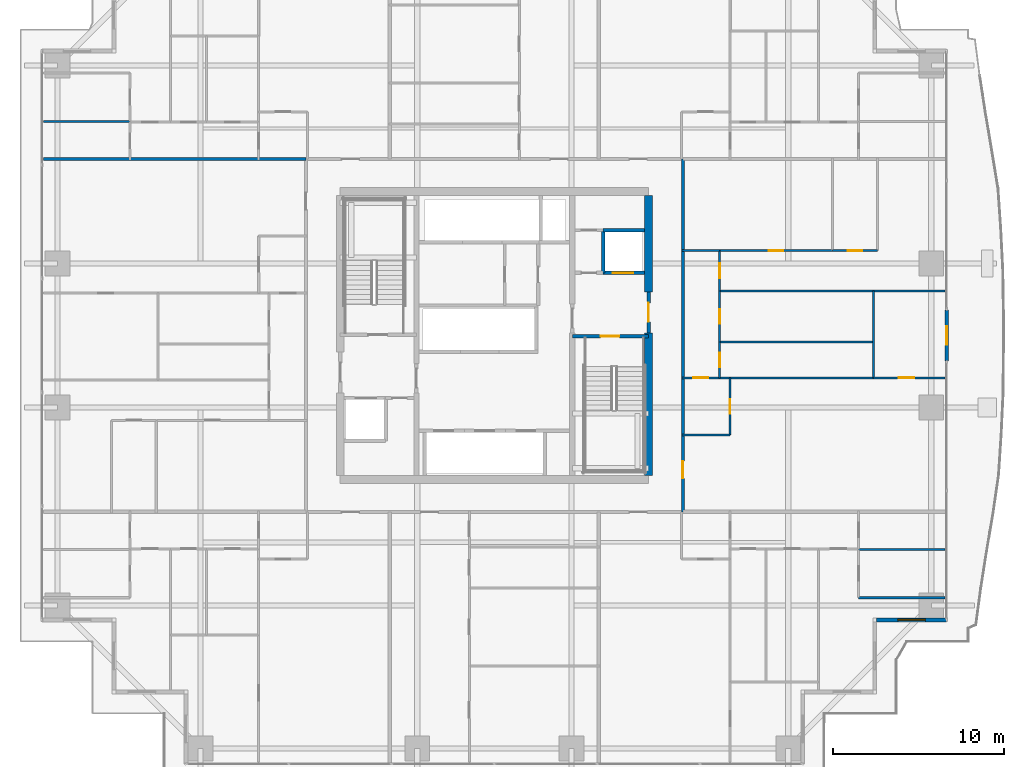
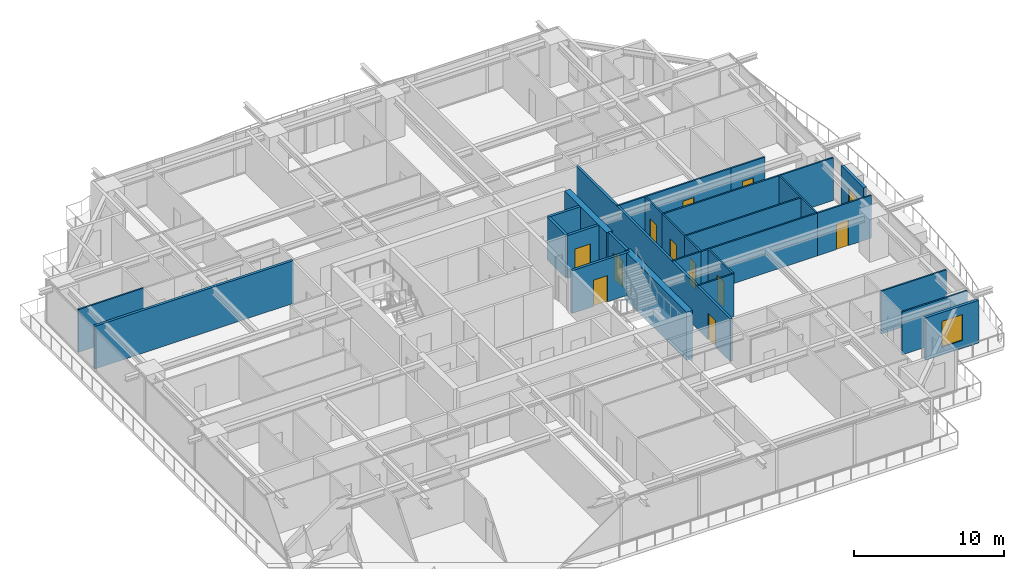
# One storey, part 29 of 37: 28 walls, 13 doors, 1 window, 14 openings.
"""IFC4 building model written with IfcOpenShell, lengths in metres."""

from ifc_helpers import new_model, si_unit, direction, frame, frame_2d, origin, place, context, subcontext, project, spatial, rectangle, extrude, source, transform, mapped, material, layer, layer_set, type_object, element, fill, save


model = new_model("IFC4")

# Units and contexts
model_context = context("Model", 3, precision=1e-05, world=origin(), true_north=direction((0.0, 1.0)))
body_context = subcontext(model_context, "Body", "Model", "MODEL_VIEW")
ifc_project = project(units=[si_unit("LENGTHUNIT", "METRE"), si_unit("AREAUNIT", "SQUARE_METRE"), si_unit("VOLUMEUNIT", "CUBIC_METRE"), si_unit("PLANEANGLEUNIT", "RADIAN"), si_unit("MASSUNIT", "GRAM", prefix="KILO")], contexts=[model_context])

# Site, building, storey
site_placement = place(None, origin())
site = spatial("IfcSite", under=ifc_project, at=site_placement, CompositionType="ELEMENT")
building_placement = place(site_placement, origin())
building = spatial("IfcBuilding", under=site, at=building_placement, Name="Serunith Strait Residences", CompositionType="ELEMENT")
storey_placement = place(building_placement, frame((0.0, 0.0, 26.699951171875)))
storey = spatial("IfcBuildingStorey", under=building, at=storey_placement, Name="L05", CompositionType="ELEMENT", Elevation=26.699951171875)

# Wall, opening, window
ifc_material_1 = material(Name="Pale-Champagne Aluminium Insulated Panel", Category="aluminium")
ifc_layer_1 = layer(ifc_material_1, 0.219970703125, Name="Pale-Champagne Aluminium Insulated Panel")
ifc_layer_set_1 = layer_set([ifc_layer_1], Name="Pale-Champagne Aluminium Insulated Panel")
wall_type_1 = type_object("IfcWallType", Name="EW-ALUM-220", PredefinedType="ELEMENTEDWALL", material=ifc_layer_set_1)
wall_1_placement = place(storey_placement, frame((54.7099609375, 8.60009765625, 0.0), z_axis=(0.0, 0.0, 1.0), x_axis=(1.0, 0.0, 0.0)))
wall_1 = element("IfcWall", 1, at=wall_1_placement, inside=storey, type_object=wall_type_1, Name="L05 Girih Serrated Corner Wall 05", PredefinedType="ELEMENTEDWALL", context=body_context, shape_type="SweptSolid", body=[
    extrude(rectangle(XDim=4.090087890625, YDim=0.219970703125, at=frame_2d((2.044921875, 0.0))), origin(), (0.0, 0.0, 1.0), 3.47509765625),
])
opening_1_placement = place(wall_1_placement, frame((1.2451171875, 0.0, 0.64990234375)))
opening_1 = element("IfcOpeningElement", 2, at=opening_1_placement, cuts=wall_1, Name="Opening W-02", PredefinedType="OPENING", context=body_context, shape_type="SweptSolid", body=[
    extrude(rectangle(XDim=1.60009765625, YDim=2.10009765625, at=frame_2d((0.800048828125, 1.050048828125))), frame((0.0, 0.1201171875, 0.0), z_axis=(0.0, -1.0, 0.0), x_axis=(1.0, 0.0, 0.0)), (0.0, 0.0, 1.0), 0.239990234375),
])
ifc_material_2 = material(Name="Ceramic-Fritted Operable Aluminium Window Glass", Category="aluminium")
window_type = type_object("IfcWindowType", Name="WIN-C2", PartitioningType="DOUBLE_PANEL_VERTICAL", PredefinedType="WINDOW", material=ifc_material_2)
shared_shape_1 = source(origin(), body_context, "Body", "SweptSolid", [
    extrude(rectangle(XDim=1.60009765625, YDim=2.10009765625, at=frame_2d((0.800048828125, 1.050048828125))), frame((0.0, 0.030029296875, 0.0), z_axis=(0.0, -1.0, 0.0), x_axis=(1.0, 0.0, 0.0)), (0.0, 0.0, 1.0), 0.06005859375),
])
window_placement = place(opening_1_placement, origin())
window = element("IfcWindow", 3, at=window_placement, inside=storey, type_object=window_type, Name="L05 Corner Operable Fritted Window 05", OverallHeight=2.10009765625, OverallWidth=1.60009765625, PartitioningType="SINGLE_PANEL", PredefinedType="WINDOW", context=body_context, shape_type="MappedRepresentation", body=[
    mapped(shared_shape_1, transform((0.0, 0.0, 0.0), scale=1.0)),
])
fill(opening_1, window)

# Wall, opening, door
wall_2_placement = place(storey_placement, frame((58.800048828125, 23.699951171875, 0.0), z_axis=(0.0, 0.0, 1.0), x_axis=(0.0, 1.0, 0.0)))
wall_2 = element("IfcWall", 4, at=wall_2_placement, inside=storey, type_object=wall_type_1, Name="L05 E Facade Pier Wall", PredefinedType="ELEMENTEDWALL", context=body_context, shape_type="SweptSolid", body=[
    extrude(rectangle(XDim=3.0, YDim=0.219970703125, at=frame_2d((1.5, 0.0))), origin(), (0.0, 0.0, 1.0), 3.47509765625),
])
opening_2_placement = place(wall_2_placement, frame((0.949951171875, 0.0, 0.0)))
opening_2 = element("IfcOpeningElement", 5, at=opening_2_placement, cuts=wall_2, Name="Opening ED-03", PredefinedType="OPENING", context=body_context, shape_type="SweptSolid", body=[
    extrude(rectangle(XDim=1.10009765625, YDim=2.199951171875, at=frame_2d((0.550048828125, 1.10009765625))), frame((0.0, 0.1201171875, 0.0), z_axis=(0.0, -1.0, 0.0), x_axis=(1.0, 0.0, 0.0)), (0.0, 0.0, 1.0), 0.239990234375),
])
ifc_material_3 = material(Name="Thermally-Broken Aluminium Glazed Balcony Door", Category="aluminium")
door_type_1 = type_object("IfcDoorType", Name="ED-BALC-1100", OperationType="NOTDEFINED", PredefinedType="DOOR", material=ifc_material_3)
shared_shape_2 = source(origin(), body_context, "Body", "SweptSolid", [
    extrude(rectangle(XDim=1.10009765625, YDim=2.199951171875, at=frame_2d((0.550048828125, 1.10009765625))), frame((0.0, 0.02490234375, 0.0), z_axis=(0.0, -1.0, 0.0), x_axis=(1.0, 0.0, 0.0)), (0.0, 0.0, 1.0), 0.050048828125),
])
door_1_placement = place(opening_2_placement, origin())
door_1 = element("IfcDoor", 6, at=door_1_placement, inside=storey, type_object=door_type_1, Name="L05 E Vertical-Forest Balcony Door", OperationType="SINGLE_SWING_RIGHT", OverallHeight=2.199951171875, OverallWidth=1.10009765625, PredefinedType="DOOR", context=body_context, shape_type="MappedRepresentation", body=[
    mapped(shared_shape_2, transform((0.0, 0.0, 0.0), scale=1.0)),
])
fill(opening_2, door_1)

ifc_material_4 = material(Name="Fire-rated acoustic gypsum partition")
ifc_layer_2 = layer(ifc_material_4, 0.179931640625, Name="Fire-rated acoustic gypsum partition")
ifc_layer_set_2 = layer_set([ifc_layer_2], Name="Fire-rated acoustic gypsum partition")
wall_type_2 = type_object("IfcWallType", Name="IW-CORR-180", PredefinedType="PARTITIONING", material=ifc_layer_set_2)
wall_3_placement = place(storey_placement, frame((43.39990234375, 14.89990234375, 0.0), z_axis=(0.0, 0.0, 1.0), x_axis=(0.0, 1.0, 0.0)))
wall_3 = element("IfcWall", 7, at=wall_3_placement, inside=storey, type_object=wall_type_2, Name="L05 Partition Wall 026", PredefinedType="PARTITIONING", context=body_context, shape_type="SweptSolid", body=[
    extrude(rectangle(XDim=20.60009765625, YDim=0.179931640625, at=frame_2d((10.300048828125, 0.0))), origin(), (0.0, 0.0, 1.0), 3.489990234375),
])
opening_3_placement = place(wall_3_placement, frame((1.9599609375, 0.0, 0.0)))
opening_3 = element("IfcOpeningElement", 8, at=opening_3_placement, cuts=wall_3, Name="Opening D-APT1000", PredefinedType="OPENING", context=body_context, shape_type="SweptSolid", body=[
    extrude(rectangle(XDim=1.0, YDim=2.14990234375, at=frame_2d((0.5, 1.074951171875))), frame((0.0, 0.10009765625, 0.0), z_axis=(0.0, -1.0, 0.0), x_axis=(1.0, 0.0, 0.0)), (0.0, 0.0, 1.0), 0.199951171875),
])
ifc_material_5 = material(Name="Solid timber engineered fire door", Category="wood")
door_type_2 = type_object("IfcDoorType", Name="ID-APT-1000", OperationType="NOTDEFINED", PredefinedType="DOOR", material=ifc_material_5)
shared_shape_3 = source(origin(), body_context, "Body", "SweptSolid", [
    extrude(rectangle(XDim=1.0, YDim=2.14990234375, at=frame_2d((0.5, 1.074951171875))), frame((0.0, 0.02490234375, 0.0), z_axis=(0.0, -1.0, 0.0), x_axis=(1.0, 0.0, 0.0)), (0.0, 0.0, 1.0), 0.050048828125),
])
door_2_placement = place(opening_3_placement, origin())
door_2 = element("IfcDoor", 9, at=door_2_placement, inside=storey, type_object=door_type_2, Name="L05 Unit 08 Entrance Door", OperationType="SINGLE_SWING_RIGHT", OverallHeight=2.14990234375, OverallWidth=1.0, PredefinedType="DOOR", context=body_context, shape_type="MappedRepresentation", body=[
    mapped(shared_shape_3, transform((0.0, 0.0, 0.0), scale=1.0)),
])
fill(opening_3, door_2)

# Walls
ifc_material_6 = material(Name="Lightweight steel-stud gypsum partition", Category="steel")
ifc_layer_3 = layer(ifc_material_6, 0.1201171875, Name="Lightweight steel-stud gypsum partition")
ifc_layer_set_3 = layer_set([ifc_layer_3], Name="Lightweight steel-stud gypsum partition")
wall_type_3 = type_object("IfcWallType", Name="IW-PART-120", PredefinedType="PARTITIONING", material=ifc_layer_set_3)
wall_4_placement = place(storey_placement, frame((53.659912109375, 9.89404296875, 0.0), z_axis=(0.0, 0.0, 1.0), x_axis=(1.0, 0.0, 0.0)))
element("IfcWall", 10, at=wall_4_placement, inside=storey, type_object=wall_type_3, Name="L05 Partition Wall 060", PredefinedType="PARTITIONING", context=body_context, shape_type="SweptSolid", body=[
    extrude(rectangle(XDim=5.045166015625, YDim=0.1201171875, at=frame_2d((2.5224609375, 0.0))), origin(), (0.0, 0.0, 1.0), 3.489990234375),
])
for number, where, z_axis, x_axis, name in (
    (11, (53.662109375, 12.701904296875, 0.0), (0.0, 0.0, 1.0), (1.0, 0.0, 0.0), "L05 Partition Wall 061"),
    (12, (6.094970703125, 37.697998046875, 0.0), (0.0, 0.0, 1.0), (1.0, 0.0, 0.0), "L05 Partition Wall 076"),
):
    element("IfcWall", number, at=place(storey_placement, frame(where, z_axis=z_axis, x_axis=x_axis)), inside=storey, type_object=wall_type_3, Name=name, PredefinedType="PARTITIONING", context=body_context, shape_type="SweptSolid", body=[
        extrude(rectangle(XDim=5.04296875, YDim=0.1201171875, at=frame_2d((2.521484375, 0.0))), origin(), (0.0, 0.0, 1.0), 3.489990234375),
    ])

# Wall, opening, door
wall_5_placement = place(storey_placement, frame((46.14990234375, 19.39990234375, 0.0), z_axis=(0.0, 0.0, 1.0), x_axis=(0.0, 1.0, 0.0)))
wall_5 = element("IfcWall", 13, at=wall_5_placement, inside=storey, type_object=wall_type_3, Name="L05 Partition Wall 117", PredefinedType="PARTITIONING", context=body_context, shape_type="SweptSolid", body=[
    extrude(rectangle(XDim=3.330078125, YDim=0.1201171875, at=frame_2d((1.6650390625, 0.0))), origin(), (0.0, 0.0, 1.0), 3.489990234375),
])
opening_4_placement = place(wall_5_placement, frame((1.239990234375, 0.0, 0.0)))
opening_4 = element("IfcOpeningElement", 14, at=opening_4_placement, cuts=wall_5, Name="Opening D-RM850", PredefinedType="OPENING", context=body_context, shape_type="SweptSolid", body=[
    extrude(rectangle(XDim=0.85009765625, YDim=2.10009765625, at=frame_2d((0.425048828125, 1.050048828125))), frame((0.0, 0.070068359375, 0.0), z_axis=(0.0, -1.0, 0.0), x_axis=(1.0, 0.0, 0.0)), (0.0, 0.0, 1.0), 0.14013671875),
])
ifc_material_7 = material(Name="Engineered timber flush study and kitchen door", Category="wood")
door_type_3 = type_object("IfcDoorType", Name="ID-ROOM-850", OperationType="NOTDEFINED", PredefinedType="DOOR", material=ifc_material_7)
shared_shape_4 = source(origin(), body_context, "Body", "SweptSolid", [
    extrude(rectangle(XDim=0.85009765625, YDim=2.10009765625, at=frame_2d((0.425048828125, 1.050048828125))), frame((0.0, 0.02490234375, 0.0), z_axis=(0.0, -1.0, 0.0), x_axis=(1.0, 0.0, 0.0)), (0.0, 0.0, 1.0), 0.050048828125),
])
door_3_placement = place(opening_4_placement, origin())
door_3 = element("IfcDoor", 15, at=door_3_placement, inside=storey, type_object=door_type_3, Name="L05 Kitchen 0508 Door", OperationType="SINGLE_SWING_LEFT", OverallHeight=2.10009765625, OverallWidth=0.85009765625, PredefinedType="DOOR", context=body_context, shape_type="MappedRepresentation", body=[
    mapped(shared_shape_4, transform((0.0, 0.0, 0.0), scale=1.0)),
])
fill(opening_4, door_3)

# Wall
wall_6_placement = place(storey_placement, frame((46.14990234375, 19.39990234375, 0.0), z_axis=(0.0, 0.0, 1.0), x_axis=(-1.0, 0.0, 0.0)))
element("IfcWall", 16, at=wall_6_placement, inside=storey, type_object=wall_type_3, Name="L05 Partition Wall 118", PredefinedType="PARTITIONING", context=body_context, shape_type="SweptSolid", body=[
    extrude(rectangle(XDim=2.809814453125, YDim=0.1201171875, at=frame_2d((1.40478515625, 0.0))), origin(), (0.0, 0.0, 1.0), 3.489990234375),
])

# Wall, opening, door
wall_7_placement = place(storey_placement, frame((45.550048828125, 22.72998046875, 0.0), z_axis=(0.0, 0.0, 1.0), x_axis=(-1.0, 0.0, 0.0)))
wall_7 = element("IfcWall", 17, at=wall_7_placement, inside=storey, type_object=wall_type_3, Name="L05 Partition Wall 119", PredefinedType="PARTITIONING", context=body_context, shape_type="SweptSolid", body=[
    extrude(rectangle(XDim=2.2099609375, YDim=0.1201171875, at=frame_2d((1.10498046875, 0.0))), origin(), (0.0, 0.0, 1.0), 3.489990234375),
])
opening_5_placement = place(wall_7_placement, frame((0.655029296875, 0.0, 0.0)))
opening_5 = element("IfcOpeningElement", 18, at=opening_5_placement, cuts=wall_7, Name="Opening D-RM900", PredefinedType="OPENING", context=body_context, shape_type="SweptSolid", body=[
    extrude(rectangle(XDim=0.89990234375, YDim=2.10009765625, at=frame_2d((0.449951171875, 1.050048828125))), frame((0.0, 0.070068359375, 0.0), z_axis=(0.0, -1.0, 0.0), x_axis=(1.0, 0.0, 0.0)), (0.0, 0.0, 1.0), 0.14013671875),
])
ifc_material_8 = material(Name="Engineered timber flush bedroom door", Category="wood")
door_type_4 = type_object("IfcDoorType", Name="ID-ROOM-900", OperationType="NOTDEFINED", PredefinedType="DOOR", material=ifc_material_8)
shared_shape_5 = source(origin(), body_context, "Body", "SweptSolid", [
    extrude(rectangle(XDim=0.89990234375, YDim=2.10009765625, at=frame_2d((0.449951171875, 1.050048828125))), frame((0.0, 0.02490234375, 0.0), z_axis=(0.0, -1.0, 0.0), x_axis=(1.0, 0.0, 0.0)), (0.0, 0.0, 1.0), 0.050048828125),
])
door_4_placement = place(opening_5_placement, origin())
door_4 = element("IfcDoor", 19, at=door_4_placement, inside=storey, type_object=door_type_4, Name="L05 Hall E 0508 Door", OperationType="SINGLE_SWING_RIGHT", OverallHeight=2.10009765625, OverallWidth=0.89990234375, PredefinedType="DOOR", context=body_context, shape_type="MappedRepresentation", body=[
    mapped(shared_shape_5, transform((0.0, 0.0, 0.0), scale=1.0)),
])
fill(opening_5, door_4)

wall_8_placement = place(storey_placement, frame((58.705078125, 22.72998046875, 0.0), z_axis=(0.0, 0.0, 1.0), x_axis=(-1.0, 0.0, 0.0)))
wall_8 = element("IfcWall", 20, at=wall_8_placement, inside=storey, type_object=wall_type_3, Name="L05 Partition Wall 120", PredefinedType="PARTITIONING", context=body_context, shape_type="SweptSolid", body=[
    extrude(rectangle(XDim=4.1650390625, YDim=0.1201171875, at=frame_2d((2.08251953125, 0.0))), origin(), (0.0, 0.0, 1.0), 3.489990234375),
])
opening_6_placement = place(wall_8_placement, frame((1.7958984375, 0.0, 0.0)))
opening_6 = element("IfcOpeningElement", 21, at=opening_6_placement, cuts=wall_8, Name="Opening D-RM900", PredefinedType="OPENING", context=body_context, shape_type="SweptSolid", body=[
    extrude(rectangle(XDim=0.89990234375, YDim=2.10009765625, at=frame_2d((0.449951171875, 1.050048828125))), frame((0.0, 0.070068359375, 0.0), z_axis=(0.0, -1.0, 0.0), x_axis=(1.0, 0.0, 0.0)), (0.0, 0.0, 1.0), 0.14013671875),
])
door_5_placement = place(opening_6_placement, origin())
door_5 = element("IfcDoor", 22, at=door_5_placement, inside=storey, type_object=door_type_4, Name="L05 Study 1 0508 Door", OperationType="SINGLE_SWING_LEFT", OverallHeight=2.10009765625, OverallWidth=0.89990234375, PredefinedType="DOOR", context=body_context, shape_type="MappedRepresentation", body=[
    mapped(shared_shape_5, transform((0.0, 0.0, 0.0), scale=1.0)),
])
fill(opening_6, door_5)

# Walls
wall_9_placement = place(storey_placement, frame((54.5380859375, 22.72998046875, 0.0), z_axis=(0.0, 0.0, 1.0), x_axis=(-1.0, 0.0, 0.0)))
element("IfcWall", 23, at=wall_9_placement, inside=storey, type_object=wall_type_3, Name="L05 Partition Wall 121", PredefinedType="PARTITIONING", context=body_context, shape_type="SweptSolid", body=[
    extrude(rectangle(XDim=8.986083984375, YDim=0.1201171875, at=frame_2d((4.4931640625, 0.0))), origin(), (0.0, 0.0, 1.0), 3.489990234375),
])
wall_10_placement = place(storey_placement, frame((54.5400390625, 22.72998046875, 0.0), z_axis=(0.0, 0.0, 1.0), x_axis=(0.0, 1.0, 0.0)))
element("IfcWall", 24, at=wall_10_placement, inside=storey, type_object=wall_type_3, Name="L05 Partition Wall 122", PredefinedType="PARTITIONING", context=body_context, shape_type="SweptSolid", body=[
    extrude(rectangle(XDim=5.070068359375, YDim=0.1201171875, at=frame_2d((2.53515625, 0.0))), origin(), (0.0, 0.0, 1.0), 3.489990234375),
])
wall_11_placement = place(storey_placement, frame((58.705078125, 27.800048828125, 0.0), z_axis=(0.0, 0.0, 1.0), x_axis=(-1.0, 0.0, 0.0)))
element("IfcWall", 25, at=wall_11_placement, inside=storey, type_object=wall_type_3, Name="L05 Partition Wall 123", PredefinedType="PARTITIONING", context=body_context, shape_type="SweptSolid", body=[
    extrude(rectangle(XDim=13.155029296875, YDim=0.1201171875, at=frame_2d((6.57763671875, 0.0))), origin(), (0.0, 0.0, 1.0), 3.489990234375),
])
wall_12_placement = place(storey_placement, frame((54.5400390625, 24.830078125, 0.0), z_axis=(0.0, 0.0, 1.0), x_axis=(-1.0, 0.0, 0.0)))
element("IfcWall", 26, at=wall_12_placement, inside=storey, type_object=wall_type_3, Name="L05 Partition Wall 124", PredefinedType="PARTITIONING", context=body_context, shape_type="SweptSolid", body=[
    extrude(rectangle(XDim=8.989990234375, YDim=0.1201171875, at=frame_2d((4.4951171875, 0.0))), origin(), (0.0, 0.0, 1.0), 3.489990234375),
])

# Wall, opening, door
wall_13_placement = place(storey_placement, frame((45.550048828125, 22.72998046875, 0.0), z_axis=(0.0, 0.0, 1.0), x_axis=(0.0, 1.0, 0.0)))
wall_13 = element("IfcWall", 27, at=wall_13_placement, inside=storey, type_object=wall_type_3, Name="L05 Partition Wall 125", PredefinedType="PARTITIONING", context=body_context, shape_type="SweptSolid", body=[
    extrude(rectangle(XDim=2.10009765625, YDim=0.1201171875, at=frame_2d((1.050048828125, 0.0))), origin(), (0.0, 0.0, 1.0), 3.489990234375),
])
opening_7_placement = place(wall_13_placement, frame((0.625, 0.0, 0.0)))
opening_7 = element("IfcOpeningElement", 28, at=opening_7_placement, cuts=wall_13, Name="Opening D-BTH850", PredefinedType="OPENING", context=body_context, shape_type="SweptSolid", body=[
    extrude(rectangle(XDim=0.85009765625, YDim=2.10009765625, at=frame_2d((0.425048828125, 1.050048828125))), frame((0.0, 0.070068359375, 0.0), z_axis=(0.0, -1.0, 0.0), x_axis=(1.0, 0.0, 0.0)), (0.0, 0.0, 1.0), 0.14013671875),
])
ifc_material_9 = material(Name="Moisture-resistant timber bathroom door", Category="wood")
door_type_5 = type_object("IfcDoorType", Name="ID-BATH-850", OperationType="NOTDEFINED", PredefinedType="DOOR", material=ifc_material_9)
door_6_placement = place(opening_7_placement, origin())
door_6 = element("IfcDoor", 29, at=door_6_placement, inside=storey, type_object=door_type_5, Name="L05 Bathroom 0508 Door", OperationType="SINGLE_SWING_RIGHT", OverallHeight=2.10009765625, OverallWidth=0.85009765625, PredefinedType="DOOR", context=body_context, shape_type="MappedRepresentation", body=[
    mapped(shared_shape_4, transform((0.0, 0.0, 0.0), scale=1.0)),
])
fill(opening_7, door_6)

wall_14_placement = place(storey_placement, frame((45.550048828125, 24.83203125, 0.0), z_axis=(0.0, 0.0, 1.0), x_axis=(0.0, 1.0, 0.0)))
wall_14 = element("IfcWall", 30, at=wall_14_placement, inside=storey, type_object=wall_type_3, Name="L05 Partition Wall 126", PredefinedType="PARTITIONING", context=body_context, shape_type="SweptSolid", body=[
    extrude(rectangle(XDim=2.968017578125, YDim=0.1201171875, at=frame_2d((1.48388671875, 0.0))), origin(), (0.0, 0.0, 1.0), 3.489990234375),
])
opening_8_placement = place(wall_14_placement, frame((1.05908203125, 0.0, 0.0)))
opening_8 = element("IfcOpeningElement", 31, at=opening_8_placement, cuts=wall_14, Name="Opening D-RM850", PredefinedType="OPENING", context=body_context, shape_type="SweptSolid", body=[
    extrude(rectangle(XDim=0.85009765625, YDim=2.10009765625, at=frame_2d((0.425048828125, 1.050048828125))), frame((0.0, 0.070068359375, 0.0), z_axis=(0.0, -1.0, 0.0), x_axis=(1.0, 0.0, 0.0)), (0.0, 0.0, 1.0), 0.14013671875),
])
door_7_placement = place(opening_8_placement, origin())
door_7 = element("IfcDoor", 32, at=door_7_placement, inside=storey, type_object=door_type_3, Name="L05 Study 0508 Door", OperationType="SINGLE_SWING_LEFT", OverallHeight=2.10009765625, OverallWidth=0.85009765625, PredefinedType="DOOR", context=body_context, shape_type="MappedRepresentation", body=[
    mapped(shared_shape_4, transform((0.0, 0.0, 0.0), scale=1.0)),
])
fill(opening_8, door_7)

wall_15_placement = place(storey_placement, frame((45.550048828125, 27.802001953125, 0.0), z_axis=(0.0, 0.0, 1.0), x_axis=(0.0, 1.0, 0.0)))
wall_15 = element("IfcWall", 33, at=wall_15_placement, inside=storey, type_object=wall_type_3, Name="L05 Partition Wall 127", PredefinedType="PARTITIONING", context=body_context, shape_type="SweptSolid", body=[
    extrude(rectangle(XDim=2.347900390625, YDim=0.1201171875, at=frame_2d((1.173828125, 0.0))), origin(), (0.0, 0.0, 1.0), 3.489990234375),
])
opening_9_placement = place(wall_15_placement, frame((0.72412109375, 0.0, 0.0)))
opening_9 = element("IfcOpeningElement", 34, at=opening_9_placement, cuts=wall_15, Name="Opening D-RM900", PredefinedType="OPENING", context=body_context, shape_type="SweptSolid", body=[
    extrude(rectangle(XDim=0.89990234375, YDim=2.10009765625, at=frame_2d((0.449951171875, 1.050048828125))), frame((0.0, 0.070068359375, 0.0), z_axis=(0.0, -1.0, 0.0), x_axis=(1.0, 0.0, 0.0)), (0.0, 0.0, 1.0), 0.14013671875),
])
door_8_placement = place(opening_9_placement, origin())
door_8 = element("IfcDoor", 35, at=door_8_placement, inside=storey, type_object=door_type_4, Name="L05 Master Bedroom E 0508 Door", OperationType="SINGLE_SWING_RIGHT", OverallHeight=2.10009765625, OverallWidth=0.89990234375, PredefinedType="DOOR", context=body_context, shape_type="MappedRepresentation", body=[
    mapped(shared_shape_5, transform((0.0, 0.0, 0.0), scale=1.0)),
])
fill(opening_9, door_8)

wall_16_placement = place(storey_placement, frame((54.75, 30.14990234375, 0.0), z_axis=(0.0, 0.0, 1.0), x_axis=(-1.0, 0.0, 0.0)))
wall_16 = element("IfcWall", 36, at=wall_16_placement, inside=storey, type_object=wall_type_3, Name="L05 Partition Wall 130", PredefinedType="PARTITIONING", context=body_context, shape_type="SweptSolid", body=[
    extrude(rectangle(XDim=2.616943359375, YDim=0.1201171875, at=frame_2d((1.30859375, 0.0))), origin(), (0.0, 0.0, 1.0), 3.489990234375),
])
opening_10_placement = place(wall_16_placement, frame((0.883056640625, 0.0, 0.0)))
opening_10 = element("IfcOpeningElement", 37, at=opening_10_placement, cuts=wall_16, Name="Opening D-BTH850", PredefinedType="OPENING", context=body_context, shape_type="SweptSolid", body=[
    extrude(rectangle(XDim=0.85009765625, YDim=2.10009765625, at=frame_2d((0.425048828125, 1.050048828125))), frame((0.0, 0.070068359375, 0.0), z_axis=(0.0, -1.0, 0.0), x_axis=(1.0, 0.0, 0.0)), (0.0, 0.0, 1.0), 0.14013671875),
])
door_9_placement = place(opening_10_placement, origin())
door_9 = element("IfcDoor", 38, at=door_9_placement, inside=storey, type_object=door_type_5, Name="L05 En-suite Bathroom E 0508 Door", OperationType="SINGLE_SWING_LEFT", OverallHeight=2.10009765625, OverallWidth=0.85009765625, PredefinedType="DOOR", context=body_context, shape_type="MappedRepresentation", body=[
    mapped(shared_shape_4, transform((0.0, 0.0, 0.0), scale=1.0)),
])
fill(opening_10, door_9)

wall_17_placement = place(storey_placement, frame((52.131103515625, 30.14990234375, 0.0), z_axis=(0.0, 0.0, 1.0), x_axis=(-1.0, 0.0, 0.0)))
wall_17 = element("IfcWall", 39, at=wall_17_placement, inside=storey, type_object=wall_type_3, Name="L05 Partition Wall 131", PredefinedType="PARTITIONING", context=body_context, shape_type="SweptSolid", body=[
    extrude(rectangle(XDim=6.5810546875, YDim=0.1201171875, at=frame_2d((3.29052734375, 0.0))), origin(), (0.0, 0.0, 1.0), 3.489990234375),
])
opening_11_placement = place(wall_17_placement, frame((2.865966796875, 0.0, 0.0)))
opening_11 = element("IfcOpeningElement", 40, at=opening_11_placement, cuts=wall_17, Name="Opening D-RM850", PredefinedType="OPENING", context=body_context, shape_type="SweptSolid", body=[
    extrude(rectangle(XDim=0.85009765625, YDim=2.10009765625, at=frame_2d((0.425048828125, 1.050048828125))), frame((0.0, 0.070068359375, 0.0), z_axis=(0.0, -1.0, 0.0), x_axis=(1.0, 0.0, 0.0)), (0.0, 0.0, 1.0), 0.14013671875),
])
door_10_placement = place(opening_11_placement, origin())
door_10 = element("IfcDoor", 41, at=door_10_placement, inside=storey, type_object=door_type_3, Name="L05 Wardrobe E 0508 Door", OperationType="SINGLE_SWING_RIGHT", OverallHeight=2.10009765625, OverallWidth=0.85009765625, PredefinedType="DOOR", context=body_context, shape_type="MappedRepresentation", body=[
    mapped(shared_shape_4, transform((0.0, 0.0, 0.0), scale=1.0)),
])
fill(opening_11, door_10)

# Walls
wall_18_placement = place(storey_placement, frame((45.548095703125, 30.14990234375, 0.0), z_axis=(0.0, 0.0, 1.0), x_axis=(-1.0, 0.0, 0.0)))
element("IfcWall", 42, at=wall_18_placement, inside=storey, type_object=wall_type_3, Name="L05 Partition Wall 132", PredefinedType="PARTITIONING", context=body_context, shape_type="SweptSolid", body=[
    extrude(rectangle(XDim=2.2080078125, YDim=0.1201171875, at=frame_2d((1.10400390625, 0.0))), origin(), (0.0, 0.0, 1.0), 3.489990234375),
])
ifc_material_10 = material(Name="Twin-stud acoustic gypsum board partition")
ifc_layer_4 = layer(ifc_material_10, 0.199951171875, Name="Twin-stud acoustic gypsum board partition")
ifc_layer_set_4 = layer_set([ifc_layer_4], Name="Twin-stud acoustic gypsum board partition")
wall_type_4 = type_object("IfcWallType", Name="IW-PARTY-200", PredefinedType="PARTITIONING", material=ifc_layer_set_4)
wall_19_placement = place(storey_placement, frame((6.08203125, 35.5, 0.0), z_axis=(0.0, 0.0, 1.0), x_axis=(1.0, 0.0, 0.0)))
element("IfcWall", 43, at=wall_19_placement, inside=storey, type_object=wall_type_4, Name="L05 Partition Wall 021", PredefinedType="PARTITIONING", context=body_context, shape_type="SweptSolid", body=[
    extrude(rectangle(XDim=15.31787109375, YDim=0.199951171875, at=frame_2d((7.658935546875, 0.0))), origin(), (0.0, 0.0, 1.0), 3.489990234375),
])

# Wall, opening, door
ifc_material_11 = material(Name="Autoclaved aerated concrete blockwork", Category="masonry")
ifc_layer_5 = layer(ifc_material_11, 0.199951171875, Name="Autoclaved aerated concrete blockwork")
ifc_layer_set_5 = layer_set([ifc_layer_5], Name="Autoclaved aerated concrete blockwork")
wall_type_5 = type_object("IfcWallType", Name="IW-SHAFT-200", PredefinedType="STANDARD", material=ifc_layer_set_5)
wall_20_placement = place(storey_placement, frame((36.949951171875, 25.14990234375, 0.0), z_axis=(0.0, 0.0, 1.0), x_axis=(1.0, 0.0, 0.0)))
wall_20 = element("IfcWall", 44, at=wall_20_placement, inside=storey, type_object=wall_type_5, Name="L05 ST-2 North Shaft Wall", PredefinedType="STANDARD", context=body_context, shape_type="SweptSolid", body=[
    extrude(rectangle(XDim=4.449951171875, YDim=0.199951171875, at=frame_2d((2.22509765625, 0.0))), origin(), (0.0, 0.0, 1.0), 3.489990234375),
])
opening_12_placement = place(wall_20_placement, frame((1.64990234375, 0.0, 0.0)))
opening_12 = element("IfcOpeningElement", 45, at=opening_12_placement, cuts=wall_20, Name="Opening FD-1100", PredefinedType="OPENING", context=body_context, shape_type="SweptSolid", body=[
    extrude(rectangle(XDim=1.10009765625, YDim=2.14990234375, at=frame_2d((0.550048828125, 1.074951171875))), frame((0.0, 0.10986328125, 0.0), z_axis=(0.0, -1.0, 0.0), x_axis=(1.0, 0.0, 0.0)), (0.0, 0.0, 1.0), 0.219970703125),
])
ifc_material_12 = material(Name="Galvanised steel fire door leaf", Category="steel")
door_type_6 = type_object("IfcDoorType", Name="FD-STAIR-1100", OperationType="NOTDEFINED", PredefinedType="DOOR", material=ifc_material_12)
shared_shape_6 = source(origin(), body_context, "Body", "SweptSolid", [
    extrude(rectangle(XDim=1.10009765625, YDim=2.14990234375, at=frame_2d((0.550048828125, 1.074951171875))), frame((0.0, 0.02490234375, 0.0), z_axis=(0.0, -1.0, 0.0), x_axis=(1.0, 0.0, 0.0)), (0.0, 0.0, 1.0), 0.050048828125),
])
door_11_placement = place(opening_12_placement, origin())
door_11 = element("IfcDoor", 46, at=door_11_placement, inside=storey, type_object=door_type_6, Name="L05 ST-2 Escape Stair Door", OperationType="SINGLE_SWING_RIGHT", OverallHeight=2.14990234375, OverallWidth=1.10009765625, PredefinedType="DOOR", context=body_context, shape_type="MappedRepresentation", body=[
    mapped(shared_shape_6, transform((0.0, 0.0, 0.0), scale=1.0)),
])
fill(opening_12, door_11)

wall_21_placement = place(storey_placement, frame((38.75, 28.85009765625, 0.0), z_axis=(0.0, 0.0, 1.0), x_axis=(1.0, 0.0, 0.0)))
wall_21 = element("IfcWall", 47, at=wall_21_placement, inside=storey, type_object=wall_type_5, Name="L05 FL-2 South Shaft Wall", PredefinedType="STANDARD", context=body_context, shape_type="SweptSolid", body=[
    extrude(rectangle(XDim=2.425048828125, YDim=0.199951171875, at=frame_2d((1.21240234375, 0.0))), origin(), (0.0, 0.0, 1.0), 3.489990234375),
])
opening_13_placement = place(wall_21_placement, frame((0.550048828125, 0.0, 0.0)))
opening_13 = element("IfcOpeningElement", 48, at=opening_13_placement, cuts=wall_21, Name="Opening LD-FF1200", PredefinedType="OPENING", context=body_context, shape_type="SweptSolid", body=[
    extrude(rectangle(XDim=1.199951171875, YDim=2.199951171875, at=frame_2d((0.60009765625, 1.10009765625))), frame((0.0, 0.10986328125, 0.0), z_axis=(0.0, -1.0, 0.0), x_axis=(1.0, 0.0, 0.0)), (0.0, 0.0, 1.0), 0.219970703125),
])
ifc_material_13 = material(Name="Brushed stainless steel landing door", Category="steel")
door_type_7 = type_object("IfcDoorType", Name="LD-FF-1200", OperationType="DOUBLE_DOOR_SLIDING", PredefinedType="DOOR", material=ifc_material_13)
shared_shape_7 = source(origin(), body_context, "Body", "SweptSolid", [
    extrude(rectangle(XDim=1.199951171875, YDim=2.199951171875, at=frame_2d((0.60009765625, 1.10009765625))), frame((0.0, 0.02490234375, 0.0), z_axis=(0.0, -1.0, 0.0), x_axis=(1.0, 0.0, 0.0)), (0.0, 0.0, 1.0), 0.050048828125),
])
door_12_placement = place(opening_13_placement, origin())
door_12 = element("IfcDoor", 49, at=door_12_placement, inside=storey, type_object=door_type_7, Name="L05 FL-2 Landing Door", OperationType="DOUBLE_DOOR_SLIDING", OverallHeight=2.199951171875, OverallWidth=1.199951171875, PredefinedType="DOOR", context=body_context, shape_type="MappedRepresentation", body=[
    mapped(shared_shape_7, transform((0.0, 0.0, 0.0), scale=1.0)),
])
fill(opening_13, door_12)

# Walls
wall_22_placement = place(storey_placement, frame((38.75, 28.85009765625, 0.0), z_axis=(0.0, 0.0, 1.0), x_axis=(0.0, 1.0, 0.0)))
element("IfcWall", 50, at=wall_22_placement, inside=storey, type_object=wall_type_5, Name="L05 Partition Wall 004", PredefinedType="STANDARD", context=body_context, shape_type="SweptSolid", body=[
    extrude(rectangle(XDim=2.5, YDim=0.199951171875, at=frame_2d((1.25, 0.0))), origin(), (0.0, 0.0, 1.0), 3.489990234375),
])
wall_23_placement = place(storey_placement, frame((38.75, 31.35009765625, 0.0), z_axis=(0.0, 0.0, 1.0), x_axis=(1.0, 0.0, 0.0)))
element("IfcWall", 51, at=wall_23_placement, inside=storey, type_object=wall_type_5, Name="L05 Partition Wall 005", PredefinedType="STANDARD", context=body_context, shape_type="SweptSolid", body=[
    extrude(rectangle(XDim=2.425048828125, YDim=0.199951171875, at=frame_2d((1.21240234375, 0.0))), origin(), (0.0, 0.0, 1.0), 3.489990234375),
])

# Wall, opening, door
wall_24_placement = place(storey_placement, frame((41.39990234375, 25.35205078125, 0.0), z_axis=(0.0, 0.0, 1.0), x_axis=(0.0, 1.0, 0.0)))
wall_24 = element("IfcWall", 52, at=wall_24_placement, inside=storey, type_object=wall_type_5, Name="L05 Partition Wall 008", PredefinedType="STANDARD", context=body_context, shape_type="SweptSolid", body=[
    extrude(rectangle(XDim=2.39599609375, YDim=0.199951171875, at=frame_2d((1.197998046875, 0.0))), origin(), (0.0, 0.0, 1.0), 3.489990234375),
])
opening_14_placement = place(wall_24_placement, frame((0.64794921875, 0.0, 0.0)))
opening_14 = element("IfcOpeningElement", 53, at=opening_14_placement, cuts=wall_24, Name="Opening FD-FFL", PredefinedType="OPENING", context=body_context, shape_type="SweptSolid", body=[
    extrude(rectangle(XDim=1.10009765625, YDim=2.14990234375, at=frame_2d((0.550048828125, 1.074951171875))), frame((0.0, 0.10986328125, 0.0), z_axis=(0.0, -1.0, 0.0), x_axis=(1.0, 0.0, 0.0)), (0.0, 0.0, 1.0), 0.219970703125),
])
ifc_material_14 = material(Name="Glazed steel smoke-lobby fire door", Category="steel")
door_type_8 = type_object("IfcDoorType", Name="FD-FFL-1100", OperationType="NOTDEFINED", PredefinedType="DOOR", material=ifc_material_14)
door_13_placement = place(opening_14_placement, origin())
door_13 = element("IfcDoor", 54, at=door_13_placement, inside=storey, type_object=door_type_8, Name="L05 FFL-2 Corridor Fire Door", OperationType="SINGLE_SWING_LEFT", OverallHeight=2.14990234375, OverallWidth=1.10009765625, PredefinedType="DOOR", context=body_context, shape_type="MappedRepresentation", body=[
    mapped(shared_shape_6, transform((0.0, 0.0, 0.0), scale=1.0)),
])
fill(opening_14, door_13)

# Walls
ifc_material_15 = material(Name="Concrete C80/95", Category="concrete")
ifc_layer_6 = layer(ifc_material_15, 0.449951171875, Name="Concrete C80/95")
ifc_layer_set_6 = layer_set([ifc_layer_6], Name="Concrete C80/95")
wall_type_6 = type_object("IfcWallType", Name="SW-450-C80", PredefinedType="SHEAR", material=ifc_layer_set_6)
wall_25_placement = place(storey_placement, frame((41.39990234375, 17.02490234375, -0.43994140625), z_axis=(0.0, 0.0, 1.0), x_axis=(0.0, 1.0, 0.0)))
element("IfcWall", 55, at=wall_25_placement, inside=storey, type_object=wall_type_6, Name="L05 Core East Shear Wall South Pier", PredefinedType="SHEAR", context=body_context, shape_type="SweptSolid", body=[
    extrude(rectangle(XDim=8.3251953125, YDim=0.449951171875, at=frame_2d((4.16259765625, 0.0))), origin(), (0.0, 0.0, 1.0), 3.927978515625),
])
wall_26_placement = place(storey_placement, frame((41.39990234375, 27.75, -0.43994140625), z_axis=(0.0, 0.0, 1.0), x_axis=(0.0, 1.0, 0.0)))
element("IfcWall", 56, at=wall_26_placement, inside=storey, type_object=wall_type_6, Name="L05 Core East Shear Wall North Pier", PredefinedType="SHEAR", context=body_context, shape_type="SweptSolid", body=[
    extrude(rectangle(XDim=5.625, YDim=0.449951171875, at=frame_2d((2.8125, 0.0))), origin(), (0.0, 0.0, 1.0), 3.927978515625),
])

save(model, "model.ifc")
